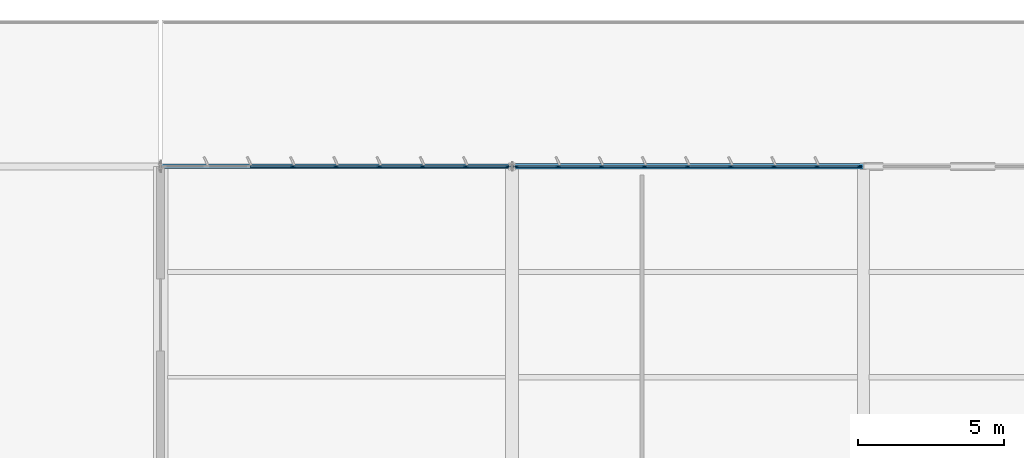
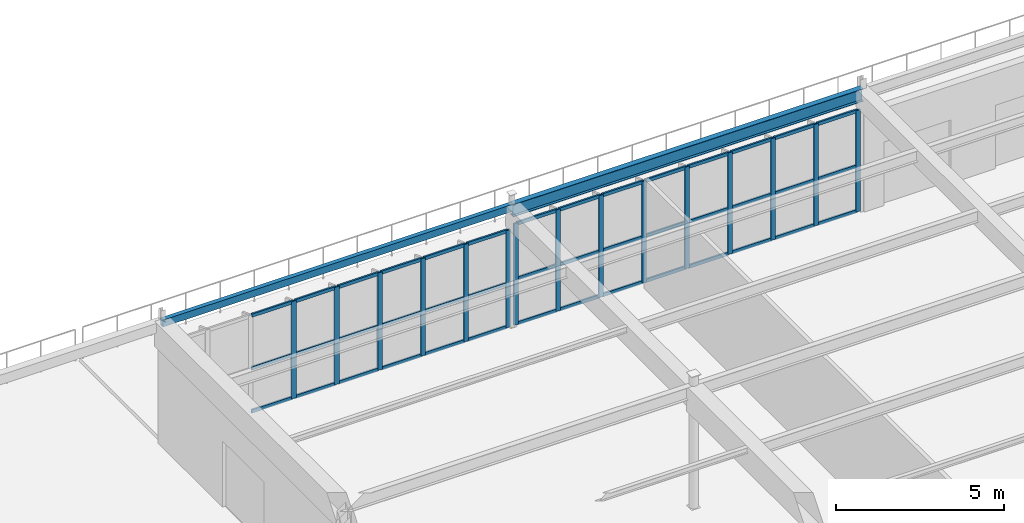
# One storey, part 115 of 199: 57 members, 2 beams, 2 elements without a shape of their own.
"""IFC4 building model written with IfcOpenShell, lengths in metres."""

from ifc_helpers import new_model, si_unit, direction, frame, origin, origin_2d, place, context, subcontext, project, spatial, rectangle, hollow_rectangle, i_section, extrude, material, layer, layer_set, material_profile, profile_set, type_object, element, aggregate, save


model = new_model("IFC4")

# Units and contexts
model_context = context("Model", 3, precision=1e-05, world=origin(), true_north=direction((0.0, 1.0)))
body_context = subcontext(model_context, "Body", "Model", "MODEL_VIEW")
ifc_project = project(units=[si_unit("LENGTHUNIT", "METRE"), si_unit("AREAUNIT", "SQUARE_METRE"), si_unit("VOLUMEUNIT", "CUBIC_METRE"), si_unit("PLANEANGLEUNIT", "RADIAN"), si_unit("MASSUNIT", "GRAM", prefix="KILO")], contexts=[model_context])

# Site, building, storey
site_placement = place(None, origin())
site = spatial("IfcSite", under=ifc_project, at=site_placement, CompositionType="ELEMENT")
building_placement = place(site_placement, origin())
building = spatial("IfcBuilding", under=site, at=building_placement, Name="Tarnwether General Hospital", CompositionType="ELEMENT")
storey_placement = place(building_placement, origin())
storey = spatial("IfcBuildingStorey", under=building, at=storey_placement, Name="L00", CompositionType="ELEMENT", Elevation=0.0)

# Beams
ifc_material_1 = material(Name="Steel Grade 350 (350 MPa)", Category="steel")
ifc_material_profile_1 = material_profile(ifc_material_1, i_section(OverallWidth=0.18994140625, OverallDepth=0.4541015625, WebThickness=0.008544921875, FlangeThickness=0.0126953125, at=origin_2d()), Name="460UB67.1")
ifc_profile_set_1 = profile_set([ifc_material_profile_1], Name="Steel Grade 350 (350 MPa)")
beam_type_1 = type_object("IfcBeamType", Name="BM-SP1", PredefinedType="SPANDREL", material=ifc_profile_set_1)
beam_1_placement = place(storey_placement, frame((156.0, 126.0, 4.218017578125), z_axis=(1.0, 0.0, 0.0), x_axis=(0.0, 1.0, 0.0)))
element("IfcBeam", 1, at=beam_1_placement, inside=storey, type_object=beam_type_1, Name="Primary Girder BMG-L00-15600_12600-16800_12600-0820", PredefinedType="SPANDREL", context=body_context, shape_type="SweptSolid", body=[
    extrude(i_section(OverallWidth=0.18994140625, OverallDepth=0.4541015625, WebThickness=0.008544921875, FlangeThickness=0.0126953125, at=origin_2d()), origin(), (0.0, 0.0, 1.0), 12.0),
])
ifc_material_2 = material(Name="Steel Grade C350L0 (350 MPa)", Category="steel")
ifc_material_profile_2 = material_profile(ifc_material_2, hollow_rectangle(XDim=0.14990234375, YDim=0.25, WallThickness=0.008056640625, at=origin_2d()), Name="RHS250x150x8")
ifc_profile_set_2 = profile_set([ifc_material_profile_2], Name="Steel Grade C350L0 (350 MPa)")
beam_type_2 = type_object("IfcBeamType", Name="BM-SP8", PredefinedType="SPANDREL", material=ifc_profile_set_2)
beam_2_placement = place(storey_placement, frame((144.0, 126.0, 4.320068359375), z_axis=(1.0, 0.0, 0.0), x_axis=(0.0, 1.0, 0.0)))
element("IfcBeam", 2, at=beam_2_placement, inside=storey, type_object=beam_type_2, Name="Primary Girder BMG-L00-14400_12600-15600_12600-0804", PredefinedType="SPANDREL", context=body_context, shape_type="SweptSolid", body=[
    extrude(hollow_rectangle(XDim=0.14990234375, YDim=0.25, WallThickness=0.008056640625, at=origin_2d()), origin(), (0.0, 0.0, 1.0), 12.0),
])

# Curtain wall, members
ifc_material_3 = material(Name="Anodised aluminium", Category="aluminium")
ifc_layer = layer(ifc_material_3, 0.159912109375)
ifc_layer_set = layer_set([ifc_layer], Name="Anodised aluminium")
curtain_wall_type = type_object("IfcCurtainWallType", Name="CW-16", PredefinedType="NOTDEFINED", material=ifc_layer_set)
curtain_wall_1_placement = place(storey_placement, origin())
curtain_wall_1 = element("IfcCurtainWall", 3, at=curtain_wall_1_placement, inside=storey, type_object=curtain_wall_type, Name="Curtain Wall CWG-L00-1441_1260-0278", PredefinedType="NOTDEFINED")
ifc_material_4 = material(Name="Anodised aluminium", Category="aluminium")
ifc_material_profile_3 = material_profile(ifc_material_4, rectangle(XDim=0.06005859375, YDim=0.159912109375, at=origin_2d()), Name="ALU-MUL-60x160")
ifc_profile_set_3 = profile_set([ifc_material_profile_3], Name="Anodised aluminium")
member_type_1 = type_object("IfcMemberType", Name="CW-ML1", PredefinedType="MULLION", material=ifc_profile_set_3)
member_1_placement = place(storey_placement, frame((148.51318359375, 126.0, 0.0), z_axis=(0.0, 0.0, 1.0), x_axis=(0.0, 1.0, 0.0)))
member_1 = element("IfcMember", 4, at=member_1_placement, type_object=member_type_1, Name="CW-16 mullion 4", PredefinedType="MULLION", context=body_context, shape_type="SweptSolid", body=[
    extrude(rectangle(XDim=0.06005859375, YDim=0.159912109375, at=origin_2d()), origin(), (0.0, 0.0, 1.0), 3.530029296875),
])
member_2_placement = place(storey_placement, frame((149.989501953125, 126.0, 0.0), z_axis=(0.0, 0.0, 1.0), x_axis=(0.0, 1.0, 0.0)))
member_2 = element("IfcMember", 5, at=member_2_placement, type_object=member_type_1, Name="CW-16 mullion 5", PredefinedType="MULLION", context=body_context, shape_type="SweptSolid", body=[
    extrude(rectangle(XDim=0.06005859375, YDim=0.159912109375, at=origin_2d()), origin(), (0.0, 0.0, 1.0), 3.530029296875),
])
member_3_placement = place(storey_placement, frame((151.4658203125, 126.0, 0.0), z_axis=(0.0, 0.0, 1.0), x_axis=(0.0, 1.0, 0.0)))
member_3 = element("IfcMember", 6, at=member_3_placement, type_object=member_type_1, Name="CW-16 mullion 6", PredefinedType="MULLION", context=body_context, shape_type="SweptSolid", body=[
    extrude(rectangle(XDim=0.06005859375, YDim=0.159912109375, at=origin_2d()), origin(), (0.0, 0.0, 1.0), 3.530029296875),
])
member_4_placement = place(storey_placement, frame((152.942138671875, 126.0, 0.0), z_axis=(0.0, 0.0, 1.0), x_axis=(0.0, 1.0, 0.0)))
member_4 = element("IfcMember", 7, at=member_4_placement, type_object=member_type_1, Name="CW-16 mullion 7", PredefinedType="MULLION", context=body_context, shape_type="SweptSolid", body=[
    extrude(rectangle(XDim=0.06005859375, YDim=0.159912109375, at=origin_2d()), origin(), (0.0, 0.0, 1.0), 3.530029296875),
])
member_5_placement = place(storey_placement, frame((154.418701171875, 126.0, 0.0), z_axis=(0.0, 0.0, 1.0), x_axis=(0.0, 1.0, 0.0)))
member_5 = element("IfcMember", 8, at=member_5_placement, type_object=member_type_1, Name="CW-16 mullion 8", PredefinedType="MULLION", context=body_context, shape_type="SweptSolid", body=[
    extrude(rectangle(XDim=0.06005859375, YDim=0.159912109375, at=origin_2d()), origin(), (0.0, 0.0, 1.0), 3.530029296875),
])
member_6_placement = place(storey_placement, frame((155.864990234375, 126.0, 0.0), z_axis=(0.0, 0.0, 1.0), x_axis=(0.0, 1.0, 0.0)))
member_6 = element("IfcMember", 9, at=member_6_placement, type_object=member_type_1, Name="CW-16 mullion 9", PredefinedType="MULLION", context=body_context, shape_type="SweptSolid", body=[
    extrude(rectangle(XDim=0.06005859375, YDim=0.159912109375, at=origin_2d()), origin(), (0.0, 0.0, 1.0), 3.530029296875),
])

curtain_wall_2_placement = place(storey_placement, origin())
curtain_wall_2 = element("IfcCurtainWall", 10, at=curtain_wall_2_placement, inside=storey, type_object=curtain_wall_type, Name="Curtain Wall CWG-L00-1561_1260-0279", PredefinedType="NOTDEFINED")
member_7_placement = place(storey_placement, frame((156.135009765625, 126.0, 0.0), z_axis=(0.0, 0.0, 1.0), x_axis=(0.0, 1.0, 0.0)))
member_7 = element("IfcMember", 11, at=member_7_placement, type_object=member_type_1, Name="CW-16 mullion 1", PredefinedType="MULLION", context=body_context, shape_type="SweptSolid", body=[
    extrude(rectangle(XDim=0.06005859375, YDim=0.159912109375, at=origin_2d()), origin(), (0.0, 0.0, 1.0), 3.679931640625),
])
member_8_placement = place(storey_placement, frame((157.578369140625, 126.0, 0.0), z_axis=(0.0, 0.0, 1.0), x_axis=(0.0, 1.0, 0.0)))
member_8 = element("IfcMember", 12, at=member_8_placement, type_object=member_type_1, Name="CW-16 mullion 2", PredefinedType="MULLION", context=body_context, shape_type="SweptSolid", body=[
    extrude(rectangle(XDim=0.06005859375, YDim=0.159912109375, at=origin_2d()), origin(), (0.0, 0.0, 1.0), 3.679931640625),
])
member_9_placement = place(storey_placement, frame((159.051513671875, 126.0, 0.0), z_axis=(0.0, 0.0, 1.0), x_axis=(0.0, 1.0, 0.0)))
member_9 = element("IfcMember", 13, at=member_9_placement, type_object=member_type_1, Name="CW-16 mullion 3", PredefinedType="MULLION", context=body_context, shape_type="SweptSolid", body=[
    extrude(rectangle(XDim=0.06005859375, YDim=0.159912109375, at=origin_2d()), origin(), (0.0, 0.0, 1.0), 3.679931640625),
])
member_10_placement = place(storey_placement, frame((160.524658203125, 126.0, 0.0), z_axis=(0.0, 0.0, 1.0), x_axis=(0.0, 1.0, 0.0)))
member_10 = element("IfcMember", 14, at=member_10_placement, type_object=member_type_1, Name="CW-16 mullion 4", PredefinedType="MULLION", context=body_context, shape_type="SweptSolid", body=[
    extrude(rectangle(XDim=0.06005859375, YDim=0.159912109375, at=origin_2d()), origin(), (0.0, 0.0, 1.0), 3.679931640625),
])
member_11_placement = place(storey_placement, frame((161.998046875, 126.0, 0.0), z_axis=(0.0, 0.0, 1.0), x_axis=(0.0, 1.0, 0.0)))
member_11 = element("IfcMember", 15, at=member_11_placement, type_object=member_type_1, Name="CW-16 mullion 5", PredefinedType="MULLION", context=body_context, shape_type="SweptSolid", body=[
    extrude(rectangle(XDim=0.06005859375, YDim=0.159912109375, at=origin_2d()), origin(), (0.0, 0.0, 1.0), 3.679931640625),
])
member_12_placement = place(storey_placement, frame((163.47119140625, 126.0, 0.0), z_axis=(0.0, 0.0, 1.0), x_axis=(0.0, 1.0, 0.0)))
member_12 = element("IfcMember", 16, at=member_12_placement, type_object=member_type_1, Name="CW-16 mullion 6", PredefinedType="MULLION", context=body_context, shape_type="SweptSolid", body=[
    extrude(rectangle(XDim=0.06005859375, YDim=0.159912109375, at=origin_2d()), origin(), (0.0, 0.0, 1.0), 3.679931640625),
])
member_13_placement = place(storey_placement, frame((164.944580078125, 126.0, 0.0), z_axis=(0.0, 0.0, 1.0), x_axis=(0.0, 1.0, 0.0)))
member_13 = element("IfcMember", 17, at=member_13_placement, type_object=member_type_1, Name="CW-16 mullion 7", PredefinedType="MULLION", context=body_context, shape_type="SweptSolid", body=[
    extrude(rectangle(XDim=0.06005859375, YDim=0.159912109375, at=origin_2d()), origin(), (0.0, 0.0, 1.0), 3.679931640625),
])
member_14_placement = place(storey_placement, frame((166.417724609375, 126.0, 0.0), z_axis=(0.0, 0.0, 1.0), x_axis=(0.0, 1.0, 0.0)))
member_14 = element("IfcMember", 18, at=member_14_placement, type_object=member_type_1, Name="CW-16 mullion 8", PredefinedType="MULLION", context=body_context, shape_type="SweptSolid", body=[
    extrude(rectangle(XDim=0.06005859375, YDim=0.159912109375, at=origin_2d()), origin(), (0.0, 0.0, 1.0), 3.679931640625),
])
member_15_placement = place(storey_placement, frame((167.861083984375, 126.0, 0.0), z_axis=(0.0, 0.0, 1.0), x_axis=(0.0, 1.0, 0.0)))
member_15 = element("IfcMember", 19, at=member_15_placement, type_object=member_type_1, Name="CW-16 mullion 9", PredefinedType="MULLION", context=body_context, shape_type="SweptSolid", body=[
    extrude(rectangle(XDim=0.06005859375, YDim=0.159912109375, at=origin_2d()), origin(), (0.0, 0.0, 1.0), 3.679931640625),
])

# Member
ifc_material_5 = material(Name="Anodised aluminium", Category="aluminium")
ifc_material_profile_4 = material_profile(ifc_material_5, rectangle(XDim=0.06005859375, YDim=0.1201171875, at=origin_2d()), Name="ALU-TRN-60x120")
ifc_profile_set_4 = profile_set([ifc_material_profile_4], Name="Anodised aluminium")
member_type_2 = type_object("IfcMemberType", Name="CW-TR1", PredefinedType="USERDEFINED", material=ifc_profile_set_4)
member_16_placement = place(storey_placement, frame((147.066650390625, 126.0, 0.030029296875), z_axis=(1.0, 0.0, 0.0), x_axis=(0.0, 1.0, 0.0)))
member_16 = element("IfcMember", 20, at=member_16_placement, type_object=member_type_2, Name="CW-16 transom 3.1", ObjectType="TRANSOM", PredefinedType="USERDEFINED", context=body_context, shape_type="SweptSolid", body=[
    extrude(rectangle(XDim=0.06005859375, YDim=0.1201171875, at=origin_2d()), origin(), (0.0, 0.0, 1.0), 1.41650390625),
])

member_17_placement = place(storey_placement, frame((147.066650390625, 126.0, 1.58837890625), z_axis=(1.0, 0.0, 0.0), x_axis=(0.0, 1.0, 0.0)))
member_17 = element("IfcMember", 21, at=member_17_placement, type_object=member_type_2, Name="CW-16 transom 3.2", ObjectType="TRANSOM", PredefinedType="USERDEFINED", context=body_context, shape_type="SweptSolid", body=[
    extrude(rectangle(XDim=0.06005859375, YDim=0.1201171875, at=origin_2d()), origin(), (0.0, 0.0, 1.0), 1.41650390625),
])

member_18_placement = place(storey_placement, frame((147.066650390625, 126.0, 3.5), z_axis=(1.0, 0.0, 0.0), x_axis=(0.0, 1.0, 0.0)))
member_18 = element("IfcMember", 22, at=member_18_placement, type_object=member_type_2, Name="CW-16 transom 3.3", ObjectType="TRANSOM", PredefinedType="USERDEFINED", context=body_context, shape_type="SweptSolid", body=[
    extrude(rectangle(XDim=0.06005859375, YDim=0.1201171875, at=origin_2d()), origin(), (0.0, 0.0, 1.0), 1.41650390625),
])

member_19_placement = place(storey_placement, frame((148.543212890625, 126.0, 0.030029296875), z_axis=(1.0, 0.0, 0.0), x_axis=(0.0, 1.0, 0.0)))
member_19 = element("IfcMember", 23, at=member_19_placement, type_object=member_type_2, Name="CW-16 transom 4.1", ObjectType="TRANSOM", PredefinedType="USERDEFINED", context=body_context, shape_type="SweptSolid", body=[
    extrude(rectangle(XDim=0.06005859375, YDim=0.1201171875, at=origin_2d()), origin(), (0.0, 0.0, 1.0), 1.416259765625),
])

member_20_placement = place(storey_placement, frame((148.543212890625, 126.0, 1.58837890625), z_axis=(1.0, 0.0, 0.0), x_axis=(0.0, 1.0, 0.0)))
member_20 = element("IfcMember", 24, at=member_20_placement, type_object=member_type_2, Name="CW-16 transom 4.2", ObjectType="TRANSOM", PredefinedType="USERDEFINED", context=body_context, shape_type="SweptSolid", body=[
    extrude(rectangle(XDim=0.06005859375, YDim=0.1201171875, at=origin_2d()), origin(), (0.0, 0.0, 1.0), 1.416259765625),
])

member_21_placement = place(storey_placement, frame((148.543212890625, 126.0, 3.5), z_axis=(1.0, 0.0, 0.0), x_axis=(0.0, 1.0, 0.0)))
member_21 = element("IfcMember", 25, at=member_21_placement, type_object=member_type_2, Name="CW-16 transom 4.3", ObjectType="TRANSOM", PredefinedType="USERDEFINED", context=body_context, shape_type="SweptSolid", body=[
    extrude(rectangle(XDim=0.06005859375, YDim=0.1201171875, at=origin_2d()), origin(), (0.0, 0.0, 1.0), 1.416259765625),
])

member_22_placement = place(storey_placement, frame((150.01953125, 126.0, 0.030029296875), z_axis=(1.0, 0.0, 0.0), x_axis=(0.0, 1.0, 0.0)))
member_22 = element("IfcMember", 26, at=member_22_placement, type_object=member_type_2, Name="CW-16 transom 5.1", ObjectType="TRANSOM", PredefinedType="USERDEFINED", context=body_context, shape_type="SweptSolid", body=[
    extrude(rectangle(XDim=0.06005859375, YDim=0.1201171875, at=origin_2d()), origin(), (0.0, 0.0, 1.0), 1.416259765625),
])

member_23_placement = place(storey_placement, frame((150.01953125, 126.0, 1.58837890625), z_axis=(1.0, 0.0, 0.0), x_axis=(0.0, 1.0, 0.0)))
member_23 = element("IfcMember", 27, at=member_23_placement, type_object=member_type_2, Name="CW-16 transom 5.2", ObjectType="TRANSOM", PredefinedType="USERDEFINED", context=body_context, shape_type="SweptSolid", body=[
    extrude(rectangle(XDim=0.06005859375, YDim=0.1201171875, at=origin_2d()), origin(), (0.0, 0.0, 1.0), 1.416259765625),
])

member_24_placement = place(storey_placement, frame((150.01953125, 126.0, 3.5), z_axis=(1.0, 0.0, 0.0), x_axis=(0.0, 1.0, 0.0)))
member_24 = element("IfcMember", 28, at=member_24_placement, type_object=member_type_2, Name="CW-16 transom 5.3", ObjectType="TRANSOM", PredefinedType="USERDEFINED", context=body_context, shape_type="SweptSolid", body=[
    extrude(rectangle(XDim=0.06005859375, YDim=0.1201171875, at=origin_2d()), origin(), (0.0, 0.0, 1.0), 1.416259765625),
])

member_25_placement = place(storey_placement, frame((151.495849609375, 126.0, 0.030029296875), z_axis=(1.0, 0.0, 0.0), x_axis=(0.0, 1.0, 0.0)))
member_25 = element("IfcMember", 29, at=member_25_placement, type_object=member_type_2, Name="CW-16 transom 6.1", ObjectType="TRANSOM", PredefinedType="USERDEFINED", context=body_context, shape_type="SweptSolid", body=[
    extrude(rectangle(XDim=0.06005859375, YDim=0.1201171875, at=origin_2d()), origin(), (0.0, 0.0, 1.0), 1.41650390625),
])

member_26_placement = place(storey_placement, frame((151.495849609375, 126.0, 1.58837890625), z_axis=(1.0, 0.0, 0.0), x_axis=(0.0, 1.0, 0.0)))
member_26 = element("IfcMember", 30, at=member_26_placement, type_object=member_type_2, Name="CW-16 transom 6.2", ObjectType="TRANSOM", PredefinedType="USERDEFINED", context=body_context, shape_type="SweptSolid", body=[
    extrude(rectangle(XDim=0.06005859375, YDim=0.1201171875, at=origin_2d()), origin(), (0.0, 0.0, 1.0), 1.41650390625),
])

member_27_placement = place(storey_placement, frame((151.495849609375, 126.0, 3.5), z_axis=(1.0, 0.0, 0.0), x_axis=(0.0, 1.0, 0.0)))
member_27 = element("IfcMember", 31, at=member_27_placement, type_object=member_type_2, Name="CW-16 transom 6.3", ObjectType="TRANSOM", PredefinedType="USERDEFINED", context=body_context, shape_type="SweptSolid", body=[
    extrude(rectangle(XDim=0.06005859375, YDim=0.1201171875, at=origin_2d()), origin(), (0.0, 0.0, 1.0), 1.41650390625),
])

member_28_placement = place(storey_placement, frame((152.97216796875, 126.0, 0.030029296875), z_axis=(1.0, 0.0, 0.0), x_axis=(0.0, 1.0, 0.0)))
member_28 = element("IfcMember", 32, at=member_28_placement, type_object=member_type_2, Name="CW-16 transom 7.1", ObjectType="TRANSOM", PredefinedType="USERDEFINED", context=body_context, shape_type="SweptSolid", body=[
    extrude(rectangle(XDim=0.06005859375, YDim=0.1201171875, at=origin_2d()), origin(), (0.0, 0.0, 1.0), 1.41650390625),
])

member_29_placement = place(storey_placement, frame((152.97216796875, 126.0, 1.58837890625), z_axis=(1.0, 0.0, 0.0), x_axis=(0.0, 1.0, 0.0)))
member_29 = element("IfcMember", 33, at=member_29_placement, type_object=member_type_2, Name="CW-16 transom 7.2", ObjectType="TRANSOM", PredefinedType="USERDEFINED", context=body_context, shape_type="SweptSolid", body=[
    extrude(rectangle(XDim=0.06005859375, YDim=0.1201171875, at=origin_2d()), origin(), (0.0, 0.0, 1.0), 1.41650390625),
])

member_30_placement = place(storey_placement, frame((152.97216796875, 126.0, 3.5), z_axis=(1.0, 0.0, 0.0), x_axis=(0.0, 1.0, 0.0)))
member_30 = element("IfcMember", 34, at=member_30_placement, type_object=member_type_2, Name="CW-16 transom 7.3", ObjectType="TRANSOM", PredefinedType="USERDEFINED", context=body_context, shape_type="SweptSolid", body=[
    extrude(rectangle(XDim=0.06005859375, YDim=0.1201171875, at=origin_2d()), origin(), (0.0, 0.0, 1.0), 1.41650390625),
])

member_31_placement = place(storey_placement, frame((154.44873046875, 126.0, 0.030029296875), z_axis=(1.0, 0.0, 0.0), x_axis=(0.0, 1.0, 0.0)))
member_31 = element("IfcMember", 35, at=member_31_placement, type_object=member_type_2, Name="CW-16 transom 8.1", ObjectType="TRANSOM", PredefinedType="USERDEFINED", context=body_context, shape_type="SweptSolid", body=[
    extrude(rectangle(XDim=0.06005859375, YDim=0.1201171875, at=origin_2d()), origin(), (0.0, 0.0, 1.0), 1.38623046875),
])

member_32_placement = place(storey_placement, frame((154.44873046875, 126.0, 1.58837890625), z_axis=(1.0, 0.0, 0.0), x_axis=(0.0, 1.0, 0.0)))
member_32 = element("IfcMember", 36, at=member_32_placement, type_object=member_type_2, Name="CW-16 transom 8.2", ObjectType="TRANSOM", PredefinedType="USERDEFINED", context=body_context, shape_type="SweptSolid", body=[
    extrude(rectangle(XDim=0.06005859375, YDim=0.1201171875, at=origin_2d()), origin(), (0.0, 0.0, 1.0), 1.38623046875),
])

member_33_placement = place(storey_placement, frame((154.44873046875, 126.0, 3.5), z_axis=(1.0, 0.0, 0.0), x_axis=(0.0, 1.0, 0.0)))
member_33 = element("IfcMember", 37, at=member_33_placement, type_object=member_type_2, Name="CW-16 transom 8.3", ObjectType="TRANSOM", PredefinedType="USERDEFINED", context=body_context, shape_type="SweptSolid", body=[
    extrude(rectangle(XDim=0.06005859375, YDim=0.1201171875, at=origin_2d()), origin(), (0.0, 0.0, 1.0), 1.38623046875),
])

aggregate(curtain_wall_1, [member_1, member_2, member_3, member_4, member_5, member_6, member_16, member_17, member_18, member_19, member_20, member_21, member_22, member_23, member_24, member_25, member_26, member_27, member_28, member_29, member_30, member_31, member_32, member_33])

member_34_placement = place(storey_placement, frame((156.1650390625, 126.0, 0.030029296875), z_axis=(1.0, 0.0, 0.0), x_axis=(0.0, 1.0, 0.0)))
member_34 = element("IfcMember", 38, at=member_34_placement, type_object=member_type_2, Name="CW-16 transom 1.1", ObjectType="TRANSOM", PredefinedType="USERDEFINED", context=body_context, shape_type="SweptSolid", body=[
    extrude(rectangle(XDim=0.06005859375, YDim=0.1201171875, at=origin_2d()), origin(), (0.0, 0.0, 1.0), 1.38330078125),
])

member_35_placement = place(storey_placement, frame((156.1650390625, 126.0, 1.656005859375), z_axis=(1.0, 0.0, 0.0), x_axis=(0.0, 1.0, 0.0)))
member_35 = element("IfcMember", 39, at=member_35_placement, type_object=member_type_2, Name="CW-16 transom 1.2", ObjectType="TRANSOM", PredefinedType="USERDEFINED", context=body_context, shape_type="SweptSolid", body=[
    extrude(rectangle(XDim=0.06005859375, YDim=0.1201171875, at=origin_2d()), origin(), (0.0, 0.0, 1.0), 1.38330078125),
])

member_36_placement = place(storey_placement, frame((156.1650390625, 126.0, 3.64990234375), z_axis=(1.0, 0.0, 0.0), x_axis=(0.0, 1.0, 0.0)))
member_36 = element("IfcMember", 40, at=member_36_placement, type_object=member_type_2, Name="CW-16 transom 1.3", ObjectType="TRANSOM", PredefinedType="USERDEFINED", context=body_context, shape_type="SweptSolid", body=[
    extrude(rectangle(XDim=0.06005859375, YDim=0.1201171875, at=origin_2d()), origin(), (0.0, 0.0, 1.0), 1.38330078125),
])

member_37_placement = place(storey_placement, frame((157.608154296875, 126.0, 0.030029296875), z_axis=(1.0, 0.0, 0.0), x_axis=(0.0, 1.0, 0.0)))
member_37 = element("IfcMember", 41, at=member_37_placement, type_object=member_type_2, Name="CW-16 transom 2.1", ObjectType="TRANSOM", PredefinedType="USERDEFINED", context=body_context, shape_type="SweptSolid", body=[
    extrude(rectangle(XDim=0.06005859375, YDim=0.1201171875, at=origin_2d()), origin(), (0.0, 0.0, 1.0), 1.413330078125),
])

member_38_placement = place(storey_placement, frame((157.608154296875, 126.0, 1.656005859375), z_axis=(1.0, 0.0, 0.0), x_axis=(0.0, 1.0, 0.0)))
member_38 = element("IfcMember", 42, at=member_38_placement, type_object=member_type_2, Name="CW-16 transom 2.2", ObjectType="TRANSOM", PredefinedType="USERDEFINED", context=body_context, shape_type="SweptSolid", body=[
    extrude(rectangle(XDim=0.06005859375, YDim=0.1201171875, at=origin_2d()), origin(), (0.0, 0.0, 1.0), 1.413330078125),
])

member_39_placement = place(storey_placement, frame((157.608154296875, 126.0, 3.64990234375), z_axis=(1.0, 0.0, 0.0), x_axis=(0.0, 1.0, 0.0)))
member_39 = element("IfcMember", 43, at=member_39_placement, type_object=member_type_2, Name="CW-16 transom 2.3", ObjectType="TRANSOM", PredefinedType="USERDEFINED", context=body_context, shape_type="SweptSolid", body=[
    extrude(rectangle(XDim=0.06005859375, YDim=0.1201171875, at=origin_2d()), origin(), (0.0, 0.0, 1.0), 1.413330078125),
])

member_40_placement = place(storey_placement, frame((159.08154296875, 126.0, 0.030029296875), z_axis=(1.0, 0.0, 0.0), x_axis=(0.0, 1.0, 0.0)))
member_40 = element("IfcMember", 44, at=member_40_placement, type_object=member_type_2, Name="CW-16 transom 3.1", ObjectType="TRANSOM", PredefinedType="USERDEFINED", context=body_context, shape_type="SweptSolid", body=[
    extrude(rectangle(XDim=0.06005859375, YDim=0.1201171875, at=origin_2d()), origin(), (0.0, 0.0, 1.0), 1.4130859375),
])

member_41_placement = place(storey_placement, frame((159.08154296875, 126.0, 1.656005859375), z_axis=(1.0, 0.0, 0.0), x_axis=(0.0, 1.0, 0.0)))
member_41 = element("IfcMember", 45, at=member_41_placement, type_object=member_type_2, Name="CW-16 transom 3.2", ObjectType="TRANSOM", PredefinedType="USERDEFINED", context=body_context, shape_type="SweptSolid", body=[
    extrude(rectangle(XDim=0.06005859375, YDim=0.1201171875, at=origin_2d()), origin(), (0.0, 0.0, 1.0), 1.4130859375),
])

member_42_placement = place(storey_placement, frame((159.08154296875, 126.0, 3.64990234375), z_axis=(1.0, 0.0, 0.0), x_axis=(0.0, 1.0, 0.0)))
member_42 = element("IfcMember", 46, at=member_42_placement, type_object=member_type_2, Name="CW-16 transom 3.3", ObjectType="TRANSOM", PredefinedType="USERDEFINED", context=body_context, shape_type="SweptSolid", body=[
    extrude(rectangle(XDim=0.06005859375, YDim=0.1201171875, at=origin_2d()), origin(), (0.0, 0.0, 1.0), 1.4130859375),
])

member_43_placement = place(storey_placement, frame((160.5546875, 126.0, 0.030029296875), z_axis=(1.0, 0.0, 0.0), x_axis=(0.0, 1.0, 0.0)))
member_43 = element("IfcMember", 47, at=member_43_placement, type_object=member_type_2, Name="CW-16 transom 4.1", ObjectType="TRANSOM", PredefinedType="USERDEFINED", context=body_context, shape_type="SweptSolid", body=[
    extrude(rectangle(XDim=0.06005859375, YDim=0.1201171875, at=origin_2d()), origin(), (0.0, 0.0, 1.0), 1.413330078125),
])

member_44_placement = place(storey_placement, frame((160.5546875, 126.0, 1.656005859375), z_axis=(1.0, 0.0, 0.0), x_axis=(0.0, 1.0, 0.0)))
member_44 = element("IfcMember", 48, at=member_44_placement, type_object=member_type_2, Name="CW-16 transom 4.2", ObjectType="TRANSOM", PredefinedType="USERDEFINED", context=body_context, shape_type="SweptSolid", body=[
    extrude(rectangle(XDim=0.06005859375, YDim=0.1201171875, at=origin_2d()), origin(), (0.0, 0.0, 1.0), 1.413330078125),
])

member_45_placement = place(storey_placement, frame((160.5546875, 126.0, 3.64990234375), z_axis=(1.0, 0.0, 0.0), x_axis=(0.0, 1.0, 0.0)))
member_45 = element("IfcMember", 49, at=member_45_placement, type_object=member_type_2, Name="CW-16 transom 4.3", ObjectType="TRANSOM", PredefinedType="USERDEFINED", context=body_context, shape_type="SweptSolid", body=[
    extrude(rectangle(XDim=0.06005859375, YDim=0.1201171875, at=origin_2d()), origin(), (0.0, 0.0, 1.0), 1.413330078125),
])

member_46_placement = place(storey_placement, frame((162.028076171875, 126.0, 0.030029296875), z_axis=(1.0, 0.0, 0.0), x_axis=(0.0, 1.0, 0.0)))
member_46 = element("IfcMember", 50, at=member_46_placement, type_object=member_type_2, Name="CW-16 transom 5.1", ObjectType="TRANSOM", PredefinedType="USERDEFINED", context=body_context, shape_type="SweptSolid", body=[
    extrude(rectangle(XDim=0.06005859375, YDim=0.1201171875, at=origin_2d()), origin(), (0.0, 0.0, 1.0), 1.4130859375),
])

member_47_placement = place(storey_placement, frame((162.028076171875, 126.0, 1.656005859375), z_axis=(1.0, 0.0, 0.0), x_axis=(0.0, 1.0, 0.0)))
member_47 = element("IfcMember", 51, at=member_47_placement, type_object=member_type_2, Name="CW-16 transom 5.2", ObjectType="TRANSOM", PredefinedType="USERDEFINED", context=body_context, shape_type="SweptSolid", body=[
    extrude(rectangle(XDim=0.06005859375, YDim=0.1201171875, at=origin_2d()), origin(), (0.0, 0.0, 1.0), 1.4130859375),
])

member_48_placement = place(storey_placement, frame((162.028076171875, 126.0, 3.64990234375), z_axis=(1.0, 0.0, 0.0), x_axis=(0.0, 1.0, 0.0)))
member_48 = element("IfcMember", 52, at=member_48_placement, type_object=member_type_2, Name="CW-16 transom 5.3", ObjectType="TRANSOM", PredefinedType="USERDEFINED", context=body_context, shape_type="SweptSolid", body=[
    extrude(rectangle(XDim=0.06005859375, YDim=0.1201171875, at=origin_2d()), origin(), (0.0, 0.0, 1.0), 1.4130859375),
])

member_49_placement = place(storey_placement, frame((163.501220703125, 126.0, 0.030029296875), z_axis=(1.0, 0.0, 0.0), x_axis=(0.0, 1.0, 0.0)))
member_49 = element("IfcMember", 53, at=member_49_placement, type_object=member_type_2, Name="CW-16 transom 6.1", ObjectType="TRANSOM", PredefinedType="USERDEFINED", context=body_context, shape_type="SweptSolid", body=[
    extrude(rectangle(XDim=0.06005859375, YDim=0.1201171875, at=origin_2d()), origin(), (0.0, 0.0, 1.0), 1.413330078125),
])

member_50_placement = place(storey_placement, frame((163.501220703125, 126.0, 1.656005859375), z_axis=(1.0, 0.0, 0.0), x_axis=(0.0, 1.0, 0.0)))
member_50 = element("IfcMember", 54, at=member_50_placement, type_object=member_type_2, Name="CW-16 transom 6.2", ObjectType="TRANSOM", PredefinedType="USERDEFINED", context=body_context, shape_type="SweptSolid", body=[
    extrude(rectangle(XDim=0.06005859375, YDim=0.1201171875, at=origin_2d()), origin(), (0.0, 0.0, 1.0), 1.413330078125),
])

member_51_placement = place(storey_placement, frame((163.501220703125, 126.0, 3.64990234375), z_axis=(1.0, 0.0, 0.0), x_axis=(0.0, 1.0, 0.0)))
member_51 = element("IfcMember", 55, at=member_51_placement, type_object=member_type_2, Name="CW-16 transom 6.3", ObjectType="TRANSOM", PredefinedType="USERDEFINED", context=body_context, shape_type="SweptSolid", body=[
    extrude(rectangle(XDim=0.06005859375, YDim=0.1201171875, at=origin_2d()), origin(), (0.0, 0.0, 1.0), 1.413330078125),
])

member_52_placement = place(storey_placement, frame((164.974609375, 126.0, 0.030029296875), z_axis=(1.0, 0.0, 0.0), x_axis=(0.0, 1.0, 0.0)))
member_52 = element("IfcMember", 56, at=member_52_placement, type_object=member_type_2, Name="CW-16 transom 7.1", ObjectType="TRANSOM", PredefinedType="USERDEFINED", context=body_context, shape_type="SweptSolid", body=[
    extrude(rectangle(XDim=0.06005859375, YDim=0.1201171875, at=origin_2d()), origin(), (0.0, 0.0, 1.0), 1.4130859375),
])

member_53_placement = place(storey_placement, frame((164.974609375, 126.0, 1.656005859375), z_axis=(1.0, 0.0, 0.0), x_axis=(0.0, 1.0, 0.0)))
member_53 = element("IfcMember", 57, at=member_53_placement, type_object=member_type_2, Name="CW-16 transom 7.2", ObjectType="TRANSOM", PredefinedType="USERDEFINED", context=body_context, shape_type="SweptSolid", body=[
    extrude(rectangle(XDim=0.06005859375, YDim=0.1201171875, at=origin_2d()), origin(), (0.0, 0.0, 1.0), 1.4130859375),
])

member_54_placement = place(storey_placement, frame((164.974609375, 126.0, 3.64990234375), z_axis=(1.0, 0.0, 0.0), x_axis=(0.0, 1.0, 0.0)))
member_54 = element("IfcMember", 58, at=member_54_placement, type_object=member_type_2, Name="CW-16 transom 7.3", ObjectType="TRANSOM", PredefinedType="USERDEFINED", context=body_context, shape_type="SweptSolid", body=[
    extrude(rectangle(XDim=0.06005859375, YDim=0.1201171875, at=origin_2d()), origin(), (0.0, 0.0, 1.0), 1.4130859375),
])

member_55_placement = place(storey_placement, frame((166.44775390625, 126.0, 0.030029296875), z_axis=(1.0, 0.0, 0.0), x_axis=(0.0, 1.0, 0.0)))
member_55 = element("IfcMember", 59, at=member_55_placement, type_object=member_type_2, Name="CW-16 transom 8.1", ObjectType="TRANSOM", PredefinedType="USERDEFINED", context=body_context, shape_type="SweptSolid", body=[
    extrude(rectangle(XDim=0.06005859375, YDim=0.1201171875, at=origin_2d()), origin(), (0.0, 0.0, 1.0), 1.38330078125),
])

member_56_placement = place(storey_placement, frame((166.44775390625, 126.0, 1.656005859375), z_axis=(1.0, 0.0, 0.0), x_axis=(0.0, 1.0, 0.0)))
member_56 = element("IfcMember", 60, at=member_56_placement, type_object=member_type_2, Name="CW-16 transom 8.2", ObjectType="TRANSOM", PredefinedType="USERDEFINED", context=body_context, shape_type="SweptSolid", body=[
    extrude(rectangle(XDim=0.06005859375, YDim=0.1201171875, at=origin_2d()), origin(), (0.0, 0.0, 1.0), 1.38330078125),
])

member_57_placement = place(storey_placement, frame((166.44775390625, 126.0, 3.64990234375), z_axis=(1.0, 0.0, 0.0), x_axis=(0.0, 1.0, 0.0)))
member_57 = element("IfcMember", 61, at=member_57_placement, type_object=member_type_2, Name="CW-16 transom 8.3", ObjectType="TRANSOM", PredefinedType="USERDEFINED", context=body_context, shape_type="SweptSolid", body=[
    extrude(rectangle(XDim=0.06005859375, YDim=0.1201171875, at=origin_2d()), origin(), (0.0, 0.0, 1.0), 1.38330078125),
])

aggregate(curtain_wall_2, [member_7, member_8, member_9, member_10, member_11, member_12, member_13, member_14, member_15, member_34, member_35, member_36, member_37, member_38, member_39, member_40, member_41, member_42, member_43, member_44, member_45, member_46, member_47, member_48, member_49, member_50, member_51, member_52, member_53, member_54, member_55, member_56, member_57])

save(model, "model.ifc")
